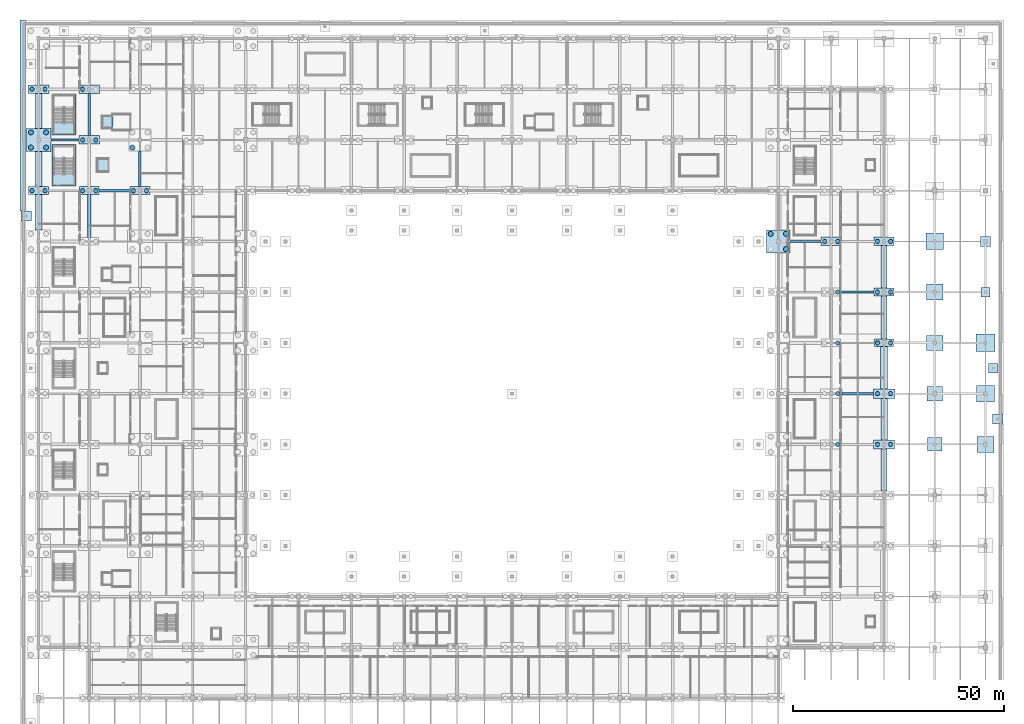
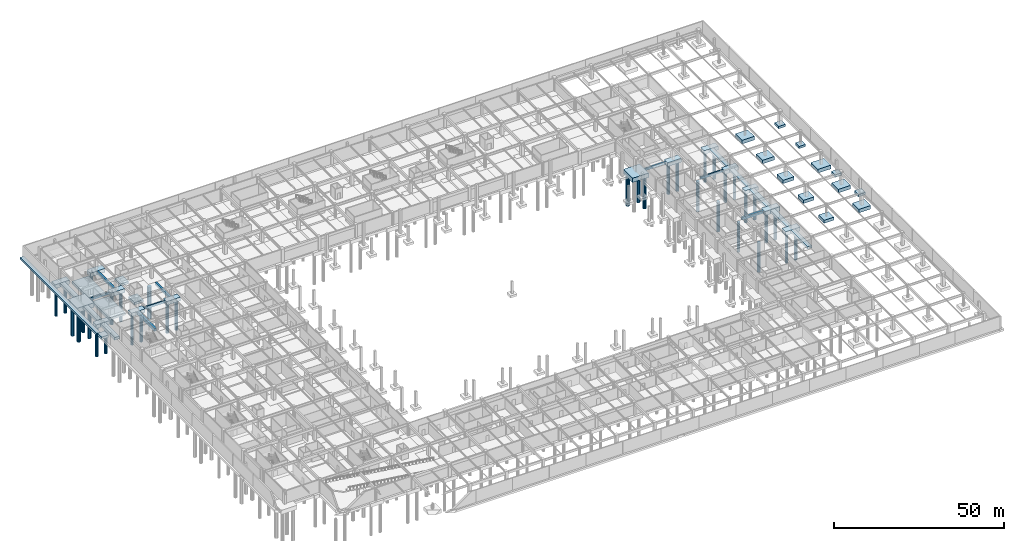
# One storey, part 7 of 56: 48 footings, 35 piles.
"""IFC4 building model written with IfcOpenShell, lengths in metres."""

from ifc_helpers import new_model, si_unit, direction, frame, origin, origin_2d, place, context, subcontext, project, spatial, polyline, rectangle, circle, outline, extrude, material, material_profile, profile_set, type_object, element, save


model = new_model("IFC4")

# Units and contexts
model_context = context("Model", 3, precision=1e-05, world=origin(), true_north=direction((0.0, 1.0)))
body_context = subcontext(model_context, "Body", "Model", "MODEL_VIEW")
ifc_project = project(units=[si_unit("LENGTHUNIT", "METRE"), si_unit("AREAUNIT", "SQUARE_METRE"), si_unit("VOLUMEUNIT", "CUBIC_METRE"), si_unit("PLANEANGLEUNIT", "RADIAN"), si_unit("MASSUNIT", "GRAM", prefix="KILO")], contexts=[model_context])

# Site, building, storey
site_placement = place(None, origin())
site = spatial("IfcSite", under=ifc_project, at=site_placement, CompositionType="ELEMENT")
building_placement = place(site_placement, origin())
building = spatial("IfcBuilding", under=site, at=building_placement, Name="Kazenohara Klinker Stadium", CompositionType="ELEMENT")
storey_placement = place(building_placement, frame((0.0, 0.0, -4.800048828125)))
storey = spatial("IfcBuildingStorey", under=building, at=storey_placement, Name="B01", CompositionType="ELEMENT", Elevation=-4.800048828125)

# Footings
ifc_material = material(Name="Concrete C35/45", Category="concrete")
footing_type_1 = type_object("IfcFootingType", Name="CAP-PC01", PredefinedType="PILE_CAP", material=ifc_material)
footing_1_placement = place(storey_placement, frame((200.0, 96.0, -1.25), z_axis=(0.0, 0.0, 1.0), x_axis=(1.0, 0.0, 0.0)))
element("IfcFooting", 1, at=footing_1_placement, inside=storey, type_object=footing_type_1, Name="Pile cap PC01 at 17/J", PredefinedType="PILE_CAP", context=body_context, shape_type="SweptSolid", body=[
    extrude(rectangle(XDim=4.5, YDim=1.800048828125, at=origin_2d()), origin(), (0.0, 0.0, 1.0), 1.25),
])
footing_type_2 = type_object("IfcFootingType", Name="CAP-PC02", PredefinedType="PILE_CAP", material=ifc_material)
for number, where, z_axis, x_axis, name in (
    (2, (0.0, 132.0, -1.2998046875), (0.0, 0.0, 1.0), (1.0, 0.0, 0.0), "Pile cap PC02 at 1/M"),
    (3, (12.0, 132.0, -1.2998046875), (0.0, 0.0, 1.0), (1.0, 0.0, 0.0), "Pile cap PC02 at 2/M"),
    (4, (24.0, 132.0, -1.2998046875), (0.0, 0.0, 1.0), (1.0, 0.0, 0.0), "Pile cap PC02 at 3/M"),
    (5, (200.0, 108.0, -1.2998046875), (0.0, 0.0, 1.0), (1.0, 0.0, 0.0), "Pile cap PC02 at 17/K"),
):
    element("IfcFooting", number, at=place(storey_placement, frame(where, z_axis=z_axis, x_axis=x_axis)), inside=storey, type_object=footing_type_2, Name=name, PredefinedType="PILE_CAP", context=body_context, shape_type="SweptSolid", body=[
        extrude(rectangle(XDim=4.64990234375, YDim=1.89990234375, at=origin_2d()), origin(), (0.0, 0.0, 1.0), 1.300048828125),
    ])
footing_type_3 = type_object("IfcFootingType", Name="CAP-PC03", PredefinedType="PILE_CAP", material=ifc_material)
for number, where, z_axis, x_axis, name in (
    (6, (12.0, 144.0, -1.35009765625), (0.0, 0.0, 1.0), (1.0, 0.0, 0.0), "Pile cap PC03 at 2/N"),
    (7, (187.5, 120.0, -1.35009765625), (0.0, 0.0, 1.0), (1.0, 0.0, 0.0), "Pile cap PC03 at 16/L"),
    (8, (200.0, 120.0, -1.35009765625), (0.0, 0.0, 1.0), (1.0, 0.0, 0.0), "Pile cap PC03 at 17/L"),
):
    element("IfcFooting", number, at=place(storey_placement, frame(where, z_axis=z_axis, x_axis=x_axis)), inside=storey, type_object=footing_type_3, Name=name, PredefinedType="PILE_CAP", context=body_context, shape_type="SweptSolid", body=[
        extrude(rectangle(XDim=4.800048828125, YDim=2.0, at=origin_2d()), origin(), (0.0, 0.0, 1.0), 1.35009765625),
    ])
footing_type_4 = type_object("IfcFootingType", Name="CAP-PC04", PredefinedType="PILE_CAP", material=ifc_material)
for number, where, z_axis, x_axis, name in (
    (9, (0.0, 156.0, -1.39990234375), (0.0, 0.0, 1.0), (1.0, 0.0, 0.0), "Pile cap PC04 at 1/P"),
    (10, (12.0, 156.0, -1.39990234375), (0.0, 0.0, 1.0), (1.0, 0.0, 0.0), "Pile cap PC04 at 2/P"),
    (11, (200.0, 72.0, -1.39990234375), (0.0, 0.0, 1.0), (1.0, 0.0, 0.0), "Pile cap PC04 at 17/G"),
):
    element("IfcFooting", number, at=place(storey_placement, frame(where, z_axis=z_axis, x_axis=x_axis)), inside=storey, type_object=footing_type_4, Name=name, PredefinedType="PILE_CAP", context=body_context, shape_type="SweptSolid", body=[
        extrude(rectangle(XDim=4.949951171875, YDim=2.10009765625, at=origin_2d()), origin(), (0.0, 0.0, 1.0), 1.39990234375),
    ])
footing_type_5 = type_object("IfcFootingType", Name="CAP-PC05", PredefinedType="PILE_CAP", material=ifc_material)
footing_2_placement = place(storey_placement, frame((200.0, 84.0, -1.44970703125), z_axis=(0.0, 0.0, 1.0), x_axis=(1.0, 0.0, 0.0)))
element("IfcFooting", 12, at=footing_2_placement, inside=storey, type_object=footing_type_5, Name="Pile cap PC05 at 17/H", PredefinedType="PILE_CAP", context=body_context, shape_type="SweptSolid", body=[
    extrude(rectangle(XDim=5.10009765625, YDim=2.199951171875, at=origin_2d()), origin(), (0.0, 0.0, 1.0), 1.449951171875),
])
footing_type_6 = type_object("IfcFootingType", Name="CAP-PC09", PredefinedType="PILE_CAP", material=ifc_material)
footing_3_placement = place(storey_placement, frame((175.0, 120.0, -1.5498046875), z_axis=(0.0, 0.0, 1.0), x_axis=(1.0, 0.0, 0.0)))
element("IfcFooting", 13, at=footing_3_placement, inside=storey, type_object=footing_type_6, Name="Pile cap PC09 at 15/L", PredefinedType="PILE_CAP", context=body_context, shape_type="SweptSolid", body=[
    extrude(rectangle(XDim=5.60009765625, YDim=5.39990234375, at=origin_2d()), origin(), (0.0, 0.0, 1.0), 1.550048828125),
])
footing_type_7 = type_object("IfcFootingType", Name="CAP-PC11", PredefinedType="PILE_CAP", material=ifc_material)
footing_4_placement = place(storey_placement, frame((0.0, 144.0, -1.64990234375), z_axis=(0.0, 0.0, 1.0), x_axis=(1.0, 0.0, 0.0)))
element("IfcFooting", 14, at=footing_4_placement, inside=storey, type_object=footing_type_7, Name="Pile cap PC11 at 1/N", PredefinedType="PILE_CAP", context=body_context, shape_type="SweptSolid", body=[
    extrude(rectangle(XDim=5.85009765625, YDim=5.5, at=origin_2d()), origin(), (0.0, 0.0, 1.0), 1.64990234375),
])
footing_type_8 = type_object("IfcFootingType", Name="GBEAM-GB01", PredefinedType="FOOTING_BEAM", material=ifc_material)
footing_5_placement = place(storey_placement, frame((0.0, 0.0, -0.800048828125)))
element("IfcFooting", 15, at=footing_5_placement, inside=storey, type_object=footing_type_8, Name="Foundation tie beam GB01 1-2/N", PredefinedType="FOOTING_BEAM", context=body_context, shape_type="SweptSolid", body=[
    extrude(outline(polyline([(2.925048828125, 143.75), (9.60009765625, 143.75), (9.60009765625, 144.25), (2.925048828125, 144.25), (2.925048828125, 143.75)])), origin(), (0.0, 0.0, 1.0), 0.800048828125),
])
footing_6_placement = place(storey_placement, frame((0.0, 0.0, -0.800048828125)))
element("IfcFooting", 16, at=footing_6_placement, inside=storey, type_object=footing_type_8, Name="Foundation tie beam GB01 2-3/M", PredefinedType="FOOTING_BEAM", context=body_context, shape_type="SweptSolid", body=[
    extrude(outline(polyline([(14.324951171875, 131.75), (21.675048828125, 131.75), (21.675048828125, 132.25), (14.324951171875, 132.25), (14.324951171875, 131.75)])), origin(), (0.0, 0.0, 1.0), 0.800048828125),
])
footing_7_placement = place(storey_placement, frame((0.0, 0.0, -0.800048828125)))
element("IfcFooting", 17, at=footing_7_placement, inside=storey, type_object=footing_type_8, Name="Foundation tie beam GB01 15-16/L", PredefinedType="FOOTING_BEAM", context=body_context, shape_type="SweptSolid", body=[
    extrude(outline(polyline([(177.800048828125, 119.75), (185.10009765625, 119.75), (185.10009765625, 120.25), (177.800048828125, 120.25), (177.800048828125, 119.75)])), origin(), (0.0, 0.0, 1.0), 0.800048828125),
])
footing_8_placement = place(storey_placement, frame((0.0, 0.0, -0.800048828125)))
element("IfcFooting", 18, at=footing_8_placement, inside=storey, type_object=footing_type_8, Name="Foundation tie beam GB01 16-17/K", PredefinedType="FOOTING_BEAM", context=body_context, shape_type="SweptSolid", body=[
    extrude(outline(polyline([(189.824951171875, 107.75), (197.675048828125, 107.75), (197.675048828125, 108.25), (189.824951171875, 108.25), (189.824951171875, 107.75)])), origin(), (0.0, 0.0, 1.0), 0.800048828125),
])
footing_type_9 = type_object("IfcFootingType", Name="GBEAM-GB02", PredefinedType="FOOTING_BEAM", material=ifc_material)
footing_9_placement = place(storey_placement, frame((0.0, 0.0, -0.8798828125)))
element("IfcFooting", 19, at=footing_9_placement, inside=storey, type_object=footing_type_9, Name="Foundation tie beam GB02 2/N-P", PredefinedType="FOOTING_BEAM", context=body_context, shape_type="SweptSolid", body=[
    extrude(outline(polyline([(11.7099609375, 145.0), (12.2900390625, 145.0), (12.2900390625, 154.949951171875), (11.7099609375, 154.949951171875), (11.7099609375, 145.0)])), origin(), (0.0, 0.0, 1.0), 0.8798828125),
])
footing_10_placement = place(storey_placement, frame((0.0, 0.0, -0.8798828125)))
element("IfcFooting", 20, at=footing_10_placement, inside=storey, type_object=footing_type_9, Name="Foundation tie beam GB02 3/M-N", PredefinedType="FOOTING_BEAM", context=body_context, shape_type="SweptSolid", body=[
    extrude(outline(polyline([(23.7099609375, 132.949951171875), (24.2900390625, 132.949951171875), (24.2900390625, 141.39990234375), (23.7099609375, 141.39990234375), (23.7099609375, 132.949951171875)])), origin(), (0.0, 0.0, 1.0), 0.8798828125),
])
footing_type_10 = type_object("IfcFootingType", Name="GBEAM-GB03", PredefinedType="FOOTING_BEAM", material=ifc_material)
footing_11_placement = place(storey_placement, frame((0.0, 0.0, -0.9599609375)))
element("IfcFooting", 21, at=footing_11_placement, inside=storey, type_object=footing_type_10, Name="Foundation tie beam GB03 16-17/H", PredefinedType="FOOTING_BEAM", context=body_context, shape_type="SweptSolid", body=[
    extrude(outline(polyline([(190.050048828125, 83.675048828125), (197.449951171875, 83.675048828125), (197.449951171875, 84.324951171875), (190.050048828125, 84.324951171875), (190.050048828125, 83.675048828125)])), origin(), (0.0, 0.0, 1.0), 0.9599609375),
])
footing_type_11 = type_object("IfcFootingType", Name="GBEAM-GB04", PredefinedType="FOOTING_BEAM", material=ifc_material)
footing_12_placement = place(storey_placement, frame((0.0, 0.0, -1.050048828125)))
element("IfcFooting", 22, at=footing_12_placement, inside=storey, type_object=footing_type_11, Name="Foundation tie beam GB04 2/L-M", PredefinedType="FOOTING_BEAM", context=body_context, shape_type="SweptSolid", body=[
    extrude(outline(polyline([(11.639892578125, 120.89990234375), (12.360107421875, 120.89990234375), (12.360107421875, 131.050048828125), (11.639892578125, 131.050048828125), (11.639892578125, 120.89990234375)])), origin(), (0.0, 0.0, 1.0), 1.050048828125),
])
footing_type_12 = type_object("IfcFootingType", Name="PAD-PF01", PredefinedType="PAD_FOOTING", material=ifc_material)
for number, where, z_axis, x_axis, name in (
    (23, (224.0, 108.0, -0.7998046875), (0.0, 0.0, 1.0), (1.0, 0.0, 0.0), "Spread footing PF01 at 19/K"),
    (24, (225.85009765625, 90.0, -0.7998046875), (0.0, 0.0, 1.0), (1.0, 0.0, 0.0), "Exterior plinth support pad PF01 PLAZA-EAST-2"),
):
    element("IfcFooting", number, at=place(storey_placement, frame(where, z_axis=z_axis, x_axis=x_axis)), inside=storey, type_object=footing_type_12, Name=name, PredefinedType="PAD_FOOTING", context=body_context, shape_type="SweptSolid", body=[
        extrude(rectangle(XDim=2.199951171875, YDim=2.199951171875, at=origin_2d()), origin(), (0.0, 0.0, 1.0), 0.800048828125),
    ])
footing_type_13 = type_object("IfcFootingType", Name="PAD-PF02", PredefinedType="PAD_FOOTING", material=ifc_material)
for number, where, z_axis, x_axis, name in (
    (25, (224.0, 120.0, -0.85009765625), (0.0, 0.0, 1.0), (1.0, 0.0, 0.0), "Spread footing PF02 at 19/L"),
    (26, (-2.89990234375, 126.0, -0.85009765625), (0.0, 0.0, 1.0), (1.0, 0.0, 0.0), "Barrier-free ramp foundation pad W2"),
    (27, (226.89990234375, 78.0, -0.85009765625), (0.0, 0.0, 1.0), (1.0, 0.0, 0.0), "Barrier-free ramp foundation pad E1"),
):
    element("IfcFooting", number, at=place(storey_placement, frame(where, z_axis=z_axis, x_axis=x_axis)), inside=storey, type_object=footing_type_13, Name=name, PredefinedType="PAD_FOOTING", context=body_context, shape_type="SweptSolid", body=[
        extrude(rectangle(XDim=2.39990234375, YDim=2.39990234375, at=origin_2d()), origin(), (0.0, 0.0, 1.0), 0.85009765625),
    ])
footing_type_14 = type_object("IfcFootingType", Name="PAD-PF03", PredefinedType="PAD_FOOTING", material=ifc_material)
footing_13_placement = place(storey_placement, frame((0.0, 0.0, -1.5)))
element("IfcFooting", 28, at=footing_13_placement, inside=storey, type_object=footing_type_14, Name="Elevator pit foundation pad LF03", PredefinedType="PAD_FOOTING", context=body_context, shape_type="SweptSolid", body=[
    extrude(outline(polyline([(14.784912109375, 146.485107421875), (17.614990234375, 146.485107421875), (17.614990234375, 149.9150390625), (14.784912109375, 149.9150390625), (14.784912109375, 146.485107421875)])), origin(), (0.0, 0.0, 1.0), 0.85009765625),
])
footing_14_placement = place(storey_placement, frame((0.0, 0.0, -1.5)))
element("IfcFooting", 29, at=footing_14_placement, inside=storey, type_object=footing_type_14, Name="Elevator pit foundation pad LG01", PredefinedType="PAD_FOOTING", context=body_context, shape_type="SweptSolid", body=[
    extrude(outline(polyline([(13.68505859375, 136.18505859375), (16.715087890625, 136.18505859375), (16.715087890625, 139.81494140625), (13.68505859375, 139.81494140625), (13.68505859375, 136.18505859375)])), origin(), (0.0, 0.0, 1.0), 0.85009765625),
])
footing_type_15 = type_object("IfcFootingType", Name="PAD-PF04", PredefinedType="PAD_FOOTING", material=ifc_material)
footing_15_placement = place(storey_placement, frame((0.0, 0.0, -1.550048828125)))
element("IfcFooting", 30, at=footing_15_placement, inside=storey, type_object=footing_type_15, Name="Stairwell core foundation raft ST05", PredefinedType="PAD_FOOTING", context=body_context, shape_type="SweptSolid", body=[
    extrude(outline(polyline([(3.18505859375, 133.125), (8.81494140625, 133.125), (8.81494140625, 142.875), (3.18505859375, 142.875), (3.18505859375, 133.125)])), origin(), (0.0, 0.0, 1.0), 0.900146484375),
])
footing_16_placement = place(storey_placement, frame((0.0, 0.0, -1.550048828125)))
element("IfcFooting", 31, at=footing_16_placement, inside=storey, type_object=footing_type_15, Name="Stairwell core foundation raft ST06", PredefinedType="PAD_FOOTING", context=body_context, shape_type="SweptSolid", body=[
    extrude(outline(polyline([(3.18505859375, 145.135009765625), (8.81494140625, 145.135009765625), (8.81494140625, 154.864990234375), (3.18505859375, 154.864990234375), (3.18505859375, 145.135009765625)])), origin(), (0.0, 0.0, 1.0), 0.900146484375),
])
footing_type_16 = type_object("IfcFootingType", Name="PAD-PF07", PredefinedType="PAD_FOOTING", material=ifc_material)
footing_17_placement = place(storey_placement, frame((212.0, 72.0, -1.10009765625), z_axis=(0.0, 0.0, 1.0), x_axis=(1.0, 0.0, 0.0)))
element("IfcFooting", 32, at=footing_17_placement, inside=storey, type_object=footing_type_16, Name="Spread footing PF07 at 18/G", PredefinedType="PAD_FOOTING", context=body_context, shape_type="SweptSolid", body=[
    extrude(rectangle(XDim=3.39990234375, YDim=3.199951171875, at=origin_2d()), origin(), (0.0, 0.0, 1.0), 1.10009765625),
])
footing_type_17 = type_object("IfcFootingType", Name="PAD-PF08", PredefinedType="PAD_FOOTING", material=ifc_material)
footing_18_placement = place(storey_placement, frame((212.0, 84.0, -1.14990234375), z_axis=(0.0, 0.0, 1.0), x_axis=(1.0, 0.0, 0.0)))
element("IfcFooting", 33, at=footing_18_placement, inside=storey, type_object=footing_type_17, Name="Spread footing PF08 at 18/H", PredefinedType="PAD_FOOTING", context=body_context, shape_type="SweptSolid", body=[
    extrude(rectangle(XDim=3.60009765625, YDim=3.39990234375, at=origin_2d()), origin(), (0.0, 0.0, 1.0), 1.14990234375),
])
footing_type_18 = type_object("IfcFootingType", Name="PAD-PF09", PredefinedType="PAD_FOOTING", material=ifc_material)
footing_19_placement = place(storey_placement, frame((212.0, 96.0, -1.19970703125), z_axis=(0.0, 0.0, 1.0), x_axis=(1.0, 0.0, 0.0)))
element("IfcFooting", 34, at=footing_19_placement, inside=storey, type_object=footing_type_18, Name="Spread footing PF09 at 18/J", PredefinedType="PAD_FOOTING", context=body_context, shape_type="SweptSolid", body=[
    extrude(rectangle(XDim=3.800048828125, YDim=3.60009765625, at=origin_2d()), origin(), (0.0, 0.0, 1.0), 1.199951171875),
])
footing_type_19 = type_object("IfcFootingType", Name="PAD-PF10", PredefinedType="PAD_FOOTING", material=ifc_material)
for number, where, z_axis, x_axis, name in (
    (35, (212.0, 108.0, -1.25), (0.0, 0.0, 1.0), (1.0, 0.0, 0.0), "Spread footing PF10 at 18/K"),
    (36, (224.0, 72.0, -1.25), (0.0, 0.0, 1.0), (1.0, 0.0, 0.0), "Spread footing PF10 at 19/G"),
):
    element("IfcFooting", number, at=place(storey_placement, frame(where, z_axis=z_axis, x_axis=x_axis)), inside=storey, type_object=footing_type_19, Name=name, PredefinedType="PAD_FOOTING", context=body_context, shape_type="SweptSolid", body=[
        extrude(rectangle(XDim=4.0, YDim=3.75, at=origin_2d()), origin(), (0.0, 0.0, 1.0), 1.25),
    ])
footing_type_20 = type_object("IfcFootingType", Name="PAD-PF11", PredefinedType="PAD_FOOTING", material=ifc_material)
for number, where, z_axis, x_axis, name in (
    (37, (212.0, 120.0, -1.2998046875), (0.0, 0.0, 1.0), (1.0, 0.0, 0.0), "Spread footing PF11 at 18/L"),
    (38, (224.0, 84.0, -1.2998046875), (0.0, 0.0, 1.0), (1.0, 0.0, 0.0), "Spread footing PF11 at 19/H"),
):
    element("IfcFooting", number, at=place(storey_placement, frame(where, z_axis=z_axis, x_axis=x_axis)), inside=storey, type_object=footing_type_20, Name=name, PredefinedType="PAD_FOOTING", context=body_context, shape_type="SweptSolid", body=[
        extrude(rectangle(XDim=4.199951171875, YDim=3.89990234375, at=origin_2d()), origin(), (0.0, 0.0, 1.0), 1.300048828125),
    ])
footing_type_21 = type_object("IfcFootingType", Name="PAD-PF12", PredefinedType="PAD_FOOTING", material=ifc_material)
footing_20_placement = place(storey_placement, frame((224.0, 96.0, -1.35009765625), z_axis=(0.0, 0.0, 1.0), x_axis=(1.0, 0.0, 0.0)))
element("IfcFooting", 39, at=footing_20_placement, inside=storey, type_object=footing_type_21, Name="Spread footing PF12 at 19/J", PredefinedType="PAD_FOOTING", context=body_context, shape_type="SweptSolid", body=[
    extrude(rectangle(XDim=4.39990234375, YDim=4.10009765625, at=origin_2d()), origin(), (0.0, 0.0, 1.0), 1.35009765625),
])

# Piles
ifc_material_profile_1 = material_profile(ifc_material, circle(Radius=0.5, at=origin_2d()), Name="BORED-PILE-1000")
ifc_profile_set_1 = profile_set([ifc_material_profile_1], Name="Concrete C35/45")
pile_type_1 = type_object("IfcPileType", Name="PILE-P01-1000", PredefinedType="BORED", material=ifc_profile_set_1)
for number, where, z_axis, x_axis, name in (
    (40, (-1.550048828125, 132.0, -1.199951171875), (0.0, 0.0, -1.0), (1.0, 0.0, 0.0), "Bored pile P01-0011-1"),
    (41, (1.550048828125, 132.0, -1.199951171875), (0.0, 0.0, -1.0), (1.0, 0.0, 0.0), "Bored pile P01-0011-2"),
):
    element("IfcPile", number, at=place(storey_placement, frame(where, z_axis=z_axis, x_axis=x_axis)), inside=storey, type_object=pile_type_1, Name=name, PredefinedType="BORED", context=body_context, shape_type="SweptSolid", body=[
        extrude(circle(Radius=0.5, at=origin_2d()), origin(), (0.0, 0.0, 1.0), 10.800048828125),
    ])
for number, where, z_axis, x_axis, name in (
    (42, (-1.550048828125, 156.0, -1.300048828125), (0.0, 0.0, -1.0), (1.0, 0.0, 0.0), "Bored pile P01-0013-1"),
    (43, (1.550048828125, 156.0, -1.300048828125), (0.0, 0.0, -1.0), (1.0, 0.0, 0.0), "Bored pile P01-0013-2"),
):
    element("IfcPile", number, at=place(storey_placement, frame(where, z_axis=z_axis, x_axis=x_axis)), inside=storey, type_object=pile_type_1, Name=name, PredefinedType="BORED", context=body_context, shape_type="SweptSolid", body=[
        extrude(circle(Radius=0.5, at=origin_2d()), origin(), (0.0, 0.0, 1.0), 10.699951171875),
    ])
for number, where, z_axis, x_axis, name in (
    (44, (10.449951171875, 132.0, -1.199951171875), (0.0, 0.0, -1.0), (1.0, 0.0, 0.0), "Bored pile P01-0111-1"),
    (45, (13.550048828125, 132.0, -1.199951171875), (0.0, 0.0, -1.0), (1.0, 0.0, 0.0), "Bored pile P01-0111-2"),
):
    element("IfcPile", number, at=place(storey_placement, frame(where, z_axis=z_axis, x_axis=x_axis)), inside=storey, type_object=pile_type_1, Name=name, PredefinedType="BORED", context=body_context, shape_type="SweptSolid", body=[
        extrude(circle(Radius=0.5, at=origin_2d()), origin(), (0.0, 0.0, 1.0), 10.800048828125),
    ])
for number, where, z_axis, x_axis, name in (
    (46, (10.449951171875, 144.0, -1.25), (0.0, 0.0, -1.0), (1.0, 0.0, 0.0), "Bored pile P01-0112-1"),
    (47, (13.550048828125, 144.0, -1.25), (0.0, 0.0, -1.0), (1.0, 0.0, 0.0), "Bored pile P01-0112-2"),
):
    element("IfcPile", number, at=place(storey_placement, frame(where, z_axis=z_axis, x_axis=x_axis)), inside=storey, type_object=pile_type_1, Name=name, PredefinedType="BORED", context=body_context, shape_type="SweptSolid", body=[
        extrude(circle(Radius=0.5, at=origin_2d()), origin(), (0.0, 0.0, 1.0), 10.75),
    ])
pile_1_placement = place(storey_placement, frame((10.449951171875, 156.0, -1.300048828125), z_axis=(0.0, 0.0, -1.0), x_axis=(1.0, 0.0, 0.0)))
element("IfcPile", 48, at=pile_1_placement, inside=storey, type_object=pile_type_1, Name="Bored pile P01-0113-1", PredefinedType="BORED", context=body_context, shape_type="SweptSolid", body=[
    extrude(circle(Radius=0.5, at=origin_2d()), origin(), (0.0, 0.0, 1.0), 10.699951171875),
])
for number, where, z_axis, x_axis, name in (
    (49, (22.449951171875, 132.0, -1.199951171875), (0.0, 0.0, -1.0), (1.0, 0.0, 0.0), "Bored pile P01-0211-1"),
    (50, (25.550048828125, 132.0, -1.199951171875), (0.0, 0.0, -1.0), (1.0, 0.0, 0.0), "Bored pile P01-0211-2"),
):
    element("IfcPile", number, at=place(storey_placement, frame(where, z_axis=z_axis, x_axis=x_axis)), inside=storey, type_object=pile_type_1, Name=name, PredefinedType="BORED", context=body_context, shape_type="SweptSolid", body=[
        extrude(circle(Radius=0.5, at=origin_2d()), origin(), (0.0, 0.0, 1.0), 10.800048828125),
    ])
pile_2_placement = place(storey_placement, frame((189.050048828125, 72.0, -1.300048828125), z_axis=(0.0, 0.0, -1.0), x_axis=(1.0, 0.0, 0.0)))
element("IfcPile", 51, at=pile_2_placement, inside=storey, type_object=pile_type_1, Name="Bored pile P01-1506-2", PredefinedType="BORED", context=body_context, shape_type="SweptSolid", body=[
    extrude(circle(Radius=0.5, at=origin_2d()), origin(), (0.0, 0.0, 1.0), 10.699951171875),
])
pile_3_placement = place(storey_placement, frame((189.050048828125, 84.0, -1.349853515625), z_axis=(0.0, 0.0, -1.0), x_axis=(1.0, 0.0, 0.0)))
element("IfcPile", 52, at=pile_3_placement, inside=storey, type_object=pile_type_1, Name="Bored pile P01-1507-2", PredefinedType="BORED", context=body_context, shape_type="SweptSolid", body=[
    extrude(circle(Radius=0.5, at=origin_2d()), origin(), (0.0, 0.0, 1.0), 10.64990234375),
])
pile_4_placement = place(storey_placement, frame((189.050048828125, 96.0, -1.14990234375), z_axis=(0.0, 0.0, -1.0), x_axis=(1.0, 0.0, 0.0)))
element("IfcPile", 53, at=pile_4_placement, inside=storey, type_object=pile_type_1, Name="Bored pile P01-1508-2", PredefinedType="BORED", context=body_context, shape_type="SweptSolid", body=[
    extrude(circle(Radius=0.5, at=origin_2d()), origin(), (0.0, 0.0, 1.0), 10.85009765625),
])
pile_5_placement = place(storey_placement, frame((189.050048828125, 108.0, -1.199951171875), z_axis=(0.0, 0.0, -1.0), x_axis=(1.0, 0.0, 0.0)))
element("IfcPile", 54, at=pile_5_placement, inside=storey, type_object=pile_type_1, Name="Bored pile P01-1509-2", PredefinedType="BORED", context=body_context, shape_type="SweptSolid", body=[
    extrude(circle(Radius=0.5, at=origin_2d()), origin(), (0.0, 0.0, 1.0), 10.800048828125),
])
for number, where, z_axis, x_axis, name in (
    (55, (185.949951171875, 120.0, -1.25), (0.0, 0.0, -1.0), (1.0, 0.0, 0.0), "Bored pile P01-1510-1"),
    (56, (189.050048828125, 120.0, -1.25), (0.0, 0.0, -1.0), (1.0, 0.0, 0.0), "Bored pile P01-1510-2"),
):
    element("IfcPile", number, at=place(storey_placement, frame(where, z_axis=z_axis, x_axis=x_axis)), inside=storey, type_object=pile_type_1, Name=name, PredefinedType="BORED", context=body_context, shape_type="SweptSolid", body=[
        extrude(circle(Radius=0.5, at=origin_2d()), origin(), (0.0, 0.0, 1.0), 10.75),
    ])
for number, where, z_axis, x_axis, name in (
    (57, (198.449951171875, 72.0, -1.300048828125), (0.0, 0.0, -1.0), (1.0, 0.0, 0.0), "Bored pile P01-1606-1"),
    (58, (201.550048828125, 72.0, -1.300048828125), (0.0, 0.0, -1.0), (1.0, 0.0, 0.0), "Bored pile P01-1606-2"),
):
    element("IfcPile", number, at=place(storey_placement, frame(where, z_axis=z_axis, x_axis=x_axis)), inside=storey, type_object=pile_type_1, Name=name, PredefinedType="BORED", context=body_context, shape_type="SweptSolid", body=[
        extrude(circle(Radius=0.5, at=origin_2d()), origin(), (0.0, 0.0, 1.0), 10.699951171875),
    ])
for number, where, z_axis, x_axis, name in (
    (59, (198.449951171875, 84.0, -1.349853515625), (0.0, 0.0, -1.0), (1.0, 0.0, 0.0), "Bored pile P01-1607-1"),
    (60, (201.550048828125, 84.0, -1.349853515625), (0.0, 0.0, -1.0), (1.0, 0.0, 0.0), "Bored pile P01-1607-2"),
):
    element("IfcPile", number, at=place(storey_placement, frame(where, z_axis=z_axis, x_axis=x_axis)), inside=storey, type_object=pile_type_1, Name=name, PredefinedType="BORED", context=body_context, shape_type="SweptSolid", body=[
        extrude(circle(Radius=0.5, at=origin_2d()), origin(), (0.0, 0.0, 1.0), 10.64990234375),
    ])
for number, where, z_axis, x_axis, name in (
    (61, (198.449951171875, 96.0, -1.14990234375), (0.0, 0.0, -1.0), (1.0, 0.0, 0.0), "Bored pile P01-1608-1"),
    (62, (201.550048828125, 96.0, -1.14990234375), (0.0, 0.0, -1.0), (1.0, 0.0, 0.0), "Bored pile P01-1608-2"),
):
    element("IfcPile", number, at=place(storey_placement, frame(where, z_axis=z_axis, x_axis=x_axis)), inside=storey, type_object=pile_type_1, Name=name, PredefinedType="BORED", context=body_context, shape_type="SweptSolid", body=[
        extrude(circle(Radius=0.5, at=origin_2d()), origin(), (0.0, 0.0, 1.0), 10.85009765625),
    ])
for number, where, z_axis, x_axis, name in (
    (63, (198.449951171875, 108.0, -1.199951171875), (0.0, 0.0, -1.0), (1.0, 0.0, 0.0), "Bored pile P01-1609-1"),
    (64, (201.550048828125, 108.0, -1.199951171875), (0.0, 0.0, -1.0), (1.0, 0.0, 0.0), "Bored pile P01-1609-2"),
):
    element("IfcPile", number, at=place(storey_placement, frame(where, z_axis=z_axis, x_axis=x_axis)), inside=storey, type_object=pile_type_1, Name=name, PredefinedType="BORED", context=body_context, shape_type="SweptSolid", body=[
        extrude(circle(Radius=0.5, at=origin_2d()), origin(), (0.0, 0.0, 1.0), 10.800048828125),
    ])
for number, where, z_axis, x_axis, name in (
    (65, (198.449951171875, 120.0, -1.25), (0.0, 0.0, -1.0), (1.0, 0.0, 0.0), "Bored pile P01-1610-1"),
    (66, (201.550048828125, 120.0, -1.25), (0.0, 0.0, -1.0), (1.0, 0.0, 0.0), "Bored pile P01-1610-2"),
):
    element("IfcPile", number, at=place(storey_placement, frame(where, z_axis=z_axis, x_axis=x_axis)), inside=storey, type_object=pile_type_1, Name=name, PredefinedType="BORED", context=body_context, shape_type="SweptSolid", body=[
        extrude(circle(Radius=0.5, at=origin_2d()), origin(), (0.0, 0.0, 1.0), 10.75),
    ])
ifc_material_profile_2 = material_profile(ifc_material, circle(Radius=0.60009765625, at=origin_2d()), Name="BORED-PILE-1200")
ifc_profile_set_2 = profile_set([ifc_material_profile_2], Name="Concrete C35/45")
pile_type_2 = type_object("IfcPileType", Name="PILE-P02-1200", PredefinedType="BORED", material=ifc_profile_set_2)
for number, where, z_axis, x_axis, name in (
    (67, (-1.800048828125, 142.199951171875, -1.550048828125), (0.0, 0.0, -1.0), (1.0, 0.0, 0.0), "Bored pile P02-0012-1"),
    (68, (1.800048828125, 142.199951171875, -1.550048828125), (0.0, 0.0, -1.0), (1.0, 0.0, 0.0), "Bored pile P02-0012-2"),
    (69, (-1.800048828125, 145.800048828125, -1.550048828125), (0.0, 0.0, -1.0), (1.0, 0.0, 0.0), "Bored pile P02-0012-3"),
    (70, (1.800048828125, 145.800048828125, -1.550048828125), (0.0, 0.0, -1.0), (1.0, 0.0, 0.0), "Bored pile P02-0012-4"),
):
    element("IfcPile", number, at=place(storey_placement, frame(where, z_axis=z_axis, x_axis=x_axis)), inside=storey, type_object=pile_type_2, Name=name, PredefinedType="BORED", context=body_context, shape_type="SweptSolid", body=[
        extrude(circle(Radius=0.60009765625, at=origin_2d()), origin(), (0.0, 0.0, 1.0), 11.25),
    ])
pile_6_placement = place(storey_placement, frame((22.199951171875, 142.199951171875, -1.300048828125), z_axis=(0.0, 0.0, -1.0), x_axis=(1.0, 0.0, 0.0)))
element("IfcPile", 71, at=pile_6_placement, inside=storey, type_object=pile_type_2, Name="Bored pile P02-0212-1", PredefinedType="BORED", context=body_context, shape_type="SweptSolid", body=[
    extrude(circle(Radius=0.60009765625, at=origin_2d()), origin(), (0.0, 0.0, 1.0), 11.5),
])
for number, where, z_axis, x_axis, name in (
    (72, (176.800048828125, 118.199951171875, -1.449951171875), (0.0, 0.0, -1.0), (1.0, 0.0, 0.0), "Bored pile P02-1410-2"),
    (73, (173.199951171875, 121.800048828125, -1.449951171875), (0.0, 0.0, -1.0), (1.0, 0.0, 0.0), "Bored pile P02-1410-3"),
    (74, (176.800048828125, 121.800048828125, -1.449951171875), (0.0, 0.0, -1.0), (1.0, 0.0, 0.0), "Bored pile P02-1410-4"),
):
    element("IfcPile", number, at=place(storey_placement, frame(where, z_axis=z_axis, x_axis=x_axis)), inside=storey, type_object=pile_type_2, Name=name, PredefinedType="BORED", context=body_context, shape_type="SweptSolid", body=[
        extrude(circle(Radius=0.60009765625, at=origin_2d()), origin(), (0.0, 0.0, 1.0), 11.35009765625),
    ])

# Footings
footing_type_22 = type_object("IfcFootingType", Name="STRIP-SF01", PredefinedType="STRIP_FOOTING", material=ifc_material)
footing_21_placement = place(storey_placement, frame((0.0, 0.0, -0.75)))
element("IfcFooting", 75, at=footing_21_placement, inside=storey, type_object=footing_type_22, Name="Perimeter strip footing SF01 17/J-K", PredefinedType="STRIP_FOOTING", context=body_context, shape_type="SweptSolid", body=[
    extrude(outline(polyline([(199.324951171875, 96.89990234375), (200.675048828125, 96.89990234375), (200.675048828125, 107.050048828125), (199.324951171875, 107.050048828125), (199.324951171875, 96.89990234375)])), origin(), (0.0, 0.0, 1.0), 0.75),
])
footing_22_placement = place(storey_placement, frame((0.0, 0.0, -0.75)))
element("IfcFooting", 76, at=footing_22_placement, inside=storey, type_object=footing_type_22, Name="Street plinth strip footing SF01 West-03", PredefinedType="STRIP_FOOTING", context=body_context, shape_type="SweptSolid", body=[
    extrude(outline(polyline([(-4.375, 127.219970703125), (-3.02490234375, 127.219970703125), (-3.02490234375, 172.35009765625), (-4.375, 172.35009765625), (-4.375, 127.219970703125)])), origin(), (0.0, 0.0, 1.0), 0.75),
])
footing_type_23 = type_object("IfcFootingType", Name="STRIP-SF02", PredefinedType="STRIP_FOOTING", material=ifc_material)
footing_23_placement = place(storey_placement, frame((0.0, 0.0, -0.800048828125)))
element("IfcFooting", 77, at=footing_23_placement, inside=storey, type_object=footing_type_23, Name="Perimeter strip footing SF02 17/F-G", PredefinedType="STRIP_FOOTING", context=body_context, shape_type="SweptSolid", body=[
    extrude(outline(polyline([(199.27490234375, 61.0), (200.72509765625, 61.0), (200.72509765625, 70.949951171875), (199.27490234375, 70.949951171875), (199.27490234375, 61.0)])), origin(), (0.0, 0.0, 1.0), 0.800048828125),
])
footing_24_placement = place(storey_placement, frame((0.0, 0.0, -0.800048828125)))
element("IfcFooting", 78, at=footing_24_placement, inside=storey, type_object=footing_type_23, Name="Perimeter strip footing SF02 17/K-L", PredefinedType="STRIP_FOOTING", context=body_context, shape_type="SweptSolid", body=[
    extrude(outline(polyline([(199.27490234375, 108.949951171875), (200.72509765625, 108.949951171875), (200.72509765625, 119.0), (199.27490234375, 119.0), (199.27490234375, 108.949951171875)])), origin(), (0.0, 0.0, 1.0), 0.800048828125),
])
footing_type_24 = type_object("IfcFootingType", Name="STRIP-SF03", PredefinedType="STRIP_FOOTING", material=ifc_material)
footing_25_placement = place(storey_placement, frame((0.0, 0.0, -0.8798828125)))
element("IfcFooting", 79, at=footing_25_placement, inside=storey, type_object=footing_type_24, Name="Perimeter strip footing SF03 17/G-H", PredefinedType="STRIP_FOOTING", context=body_context, shape_type="SweptSolid", body=[
    extrude(outline(polyline([(199.22509765625, 73.050048828125), (200.77490234375, 73.050048828125), (200.77490234375, 82.89990234375), (199.22509765625, 82.89990234375), (199.22509765625, 73.050048828125)])), origin(), (0.0, 0.0, 1.0), 0.8798828125),
])
footing_type_25 = type_object("IfcFootingType", Name="STRIP-SF04", PredefinedType="STRIP_FOOTING", material=ifc_material)
footing_26_placement = place(storey_placement, frame((0.0, 0.0, -0.949951171875)))
element("IfcFooting", 80, at=footing_26_placement, inside=storey, type_object=footing_type_25, Name="Perimeter strip footing SF04 1/L-M", PredefinedType="STRIP_FOOTING", context=body_context, shape_type="SweptSolid", body=[
    extrude(outline(polyline([(-0.824951171875, 122.699951171875), (0.824951171875, 122.699951171875), (0.824951171875, 131.050048828125), (-0.824951171875, 131.050048828125), (-0.824951171875, 122.699951171875)])), origin(), (0.0, 0.0, 1.0), 0.949951171875),
])
footing_27_placement = place(storey_placement, frame((0.0, 0.0, -0.949951171875)))
element("IfcFooting", 81, at=footing_27_placement, inside=storey, type_object=footing_type_25, Name="Perimeter strip footing SF04 1/M-N", PredefinedType="STRIP_FOOTING", context=body_context, shape_type="SweptSolid", body=[
    extrude(outline(polyline([(-0.824951171875, 132.949951171875), (0.824951171875, 132.949951171875), (0.824951171875, 141.25), (-0.824951171875, 141.25), (-0.824951171875, 132.949951171875)])), origin(), (0.0, 0.0, 1.0), 0.949951171875),
])
footing_28_placement = place(storey_placement, frame((0.0, 0.0, -0.949951171875)))
element("IfcFooting", 82, at=footing_28_placement, inside=storey, type_object=footing_type_25, Name="Perimeter strip footing SF04 1/N-P", PredefinedType="STRIP_FOOTING", context=body_context, shape_type="SweptSolid", body=[
    extrude(outline(polyline([(-0.824951171875, 146.75), (0.824951171875, 146.75), (0.824951171875, 154.949951171875), (-0.824951171875, 154.949951171875), (-0.824951171875, 146.75)])), origin(), (0.0, 0.0, 1.0), 0.949951171875),
])
footing_29_placement = place(storey_placement, frame((0.0, 0.0, -0.949951171875)))
element("IfcFooting", 83, at=footing_29_placement, inside=storey, type_object=footing_type_25, Name="Perimeter strip footing SF04 17/H-J", PredefinedType="STRIP_FOOTING", context=body_context, shape_type="SweptSolid", body=[
    extrude(outline(polyline([(199.175048828125, 85.10009765625), (200.824951171875, 85.10009765625), (200.824951171875, 95.10009765625), (199.175048828125, 95.10009765625), (199.175048828125, 85.10009765625)])), origin(), (0.0, 0.0, 1.0), 0.949951171875),
])

save(model, "model.ifc")
